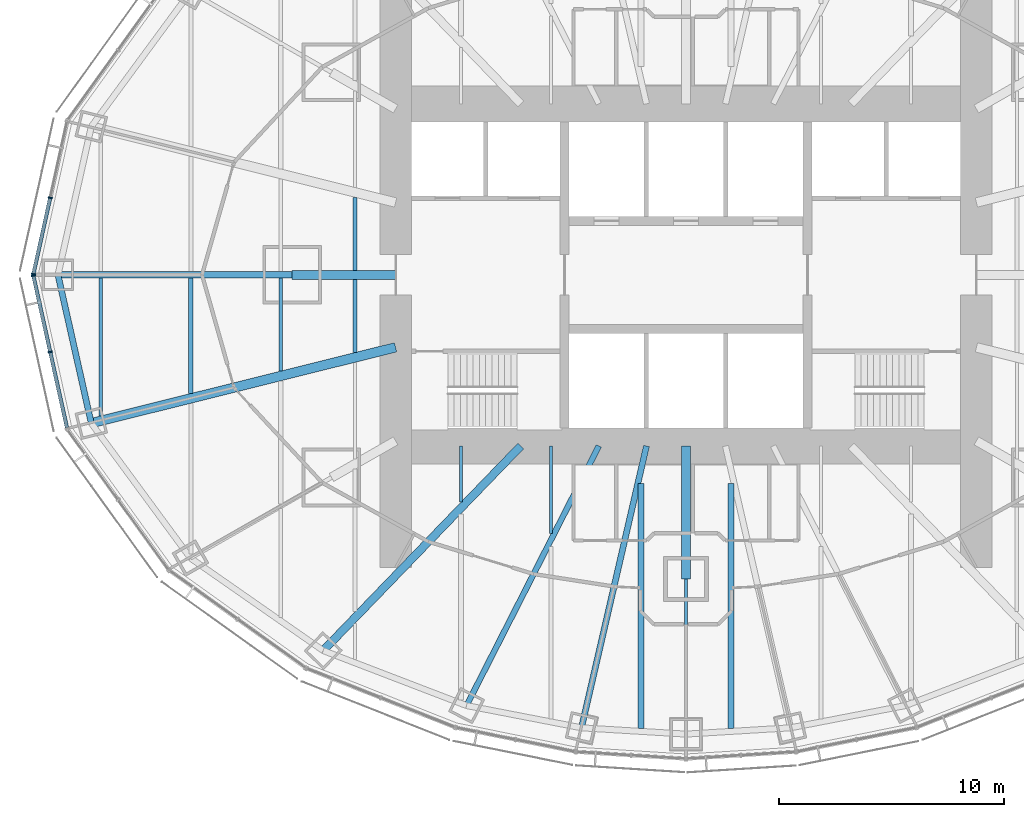
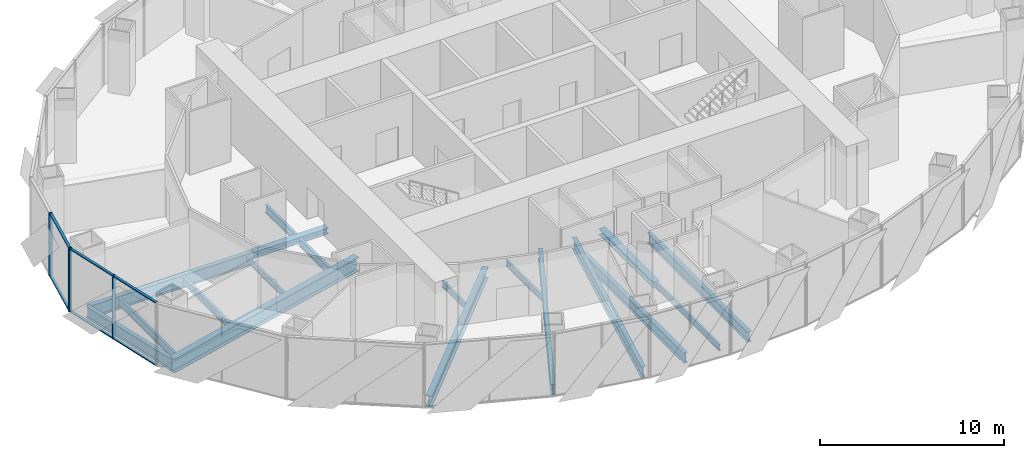
# One storey, part 3 of 17: 18 beams, 10 members, 2 elements without a shape of their own.
"""IFC4 building model written with IfcOpenShell, lengths in metres."""

from ifc_helpers import new_model, si_unit, direction, frame, origin, origin_2d, place, context, subcontext, project, spatial, rectangle, i_section, extrude, material, material_profile, profile_set, type_object, element, aggregate, save


model = new_model("IFC4")

# Units and contexts
model_context = context("Model", 3, precision=1e-05, world=origin(), true_north=direction((0.0, 1.0)))
body_context = subcontext(model_context, "Body", "Model", "MODEL_VIEW")
ifc_project = project(units=[si_unit("LENGTHUNIT", "METRE"), si_unit("AREAUNIT", "SQUARE_METRE"), si_unit("VOLUMEUNIT", "CUBIC_METRE"), si_unit("PLANEANGLEUNIT", "RADIAN"), si_unit("MASSUNIT", "GRAM", prefix="KILO")], contexts=[model_context])

# Site, building, storey
site_placement = place(None, origin())
site = spatial("IfcSite", under=ifc_project, at=site_placement, CompositionType="ELEMENT")
building_placement = place(site_placement, origin())
building = spatial("IfcBuilding", under=site, at=building_placement, Name="Lantaw Convention Tower", CompositionType="ELEMENT")
storey_placement = place(building_placement, frame((0.0, 0.0, 163.60009765625)))
storey = spatial("IfcBuildingStorey", under=building, at=storey_placement, Name="L38", CompositionType="ELEMENT", Elevation=163.60009765625)

# Beams
ifc_material_1 = material(Name="Steel ASTM A992", Category="steel")
ifc_material_profile_1 = material_profile(ifc_material_1, i_section(OverallWidth=0.2666015625, OverallDepth=0.76953125, WebThickness=0.015625, FlangeThickness=0.025390625, FilletRadius=0.0126953125, at=origin_2d()), Name="W30X132")
ifc_profile_set_1 = profile_set([ifc_material_profile_1], Name="Steel ASTM A992")
beam_type_1 = type_object("IfcBeamType", Name="Beam E W30X132", PredefinedType="SPANDREL", material=ifc_profile_set_1)
beam_1_placement = place(storey_placement, frame((-27.89990234375, 0.0, -0.534912109375), z_axis=(0.219211877447, -0.975677279015, 0.0), x_axis=(0.975677279015, 0.219211877447, 0.0)))
element("IfcBeam", 1, at=beam_1_placement, inside=storey, type_object=beam_type_1, Name="Edge beam 13", PredefinedType="SPANDREL", context=body_context, shape_type="SweptSolid", body=[
    extrude(i_section(OverallWidth=0.2666015625, OverallDepth=0.76953125, WebThickness=0.015625, FlangeThickness=0.025390625, FilletRadius=0.0126953125, at=origin_2d()), origin(), (0.0, 0.0, 1.0), 6.75146484375),
])
ifc_material_profile_2 = material_profile(ifc_material_1, i_section(OverallWidth=0.140380859375, OverallDepth=0.40380859375, WebThickness=0.007080078125, FlangeThickness=0.01123046875, FilletRadius=0.01025390625, at=origin_2d()), Name="W16X31")
ifc_profile_set_2 = profile_set([ifc_material_profile_2], Name="Steel ASTM A992")
beam_type_2 = type_object("IfcBeamType", Name="Beam G W16X31", PredefinedType="BEAM", material=ifc_profile_set_2)
beam_2_placement = place(storey_placement, frame((0.0, -13.5, -0.35205078125), z_axis=(0.0, -1.0, 0.0), x_axis=(1.0, 0.0, 0.0)))
element("IfcBeam", 2, at=beam_2_placement, inside=storey, type_object=beam_type_2, Name="Floor girder on ray 19", PredefinedType="BEAM", context=body_context, shape_type="SweptSolid", body=[
    extrude(i_section(OverallWidth=0.140380859375, OverallDepth=0.40380859375, WebThickness=0.007080078125, FlangeThickness=0.01123046875, FilletRadius=0.01025390625, at=origin_2d()), origin(), (0.0, 0.0, 1.0), 6.89990234375),
])
ifc_material_profile_3 = material_profile(ifc_material_1, i_section(OverallWidth=0.25390625, OverallDepth=0.700927734375, WebThickness=0.015380859375, FlangeThickness=0.02783203125, FilletRadius=0.01513671875, at=origin_2d()), Name="W27X129")
ifc_profile_set_3 = profile_set([ifc_material_profile_3], Name="Steel ASTM A992")
beam_type_3 = type_object("IfcBeamType", Name="Beam G W27X129", PredefinedType="BEAM", material=ifc_profile_set_3)
beam_3_placement = place(storey_placement, frame((-3.872314453125, -7.60009765625, -0.500732421875), z_axis=(-0.453991051051, -0.891006243281, 0.0), x_axis=(0.891006243281, -0.453991051051, 0.0)))
element("IfcBeam", 3, at=beam_3_placement, inside=storey, type_object=beam_type_3, Name="Floor girder on ray 17", PredefinedType="BEAM", context=body_context, shape_type="SweptSolid", body=[
    extrude(i_section(OverallWidth=0.25390625, OverallDepth=0.700927734375, WebThickness=0.015380859375, FlangeThickness=0.02783203125, FilletRadius=0.01513671875, at=origin_2d()), origin(), (0.0, 0.0, 1.0), 12.943359375),
])
ifc_material_profile_4 = material_profile(ifc_material_1, i_section(OverallWidth=0.360595703125, OverallDepth=0.72900390625, WebThickness=0.023193359375, FlangeThickness=0.041015625, FilletRadius=0.0126953125, at=origin_2d()), Name="W27X235")
ifc_profile_set_4 = profile_set([ifc_material_profile_4], Name="Steel ASTM A992")
beam_type_4 = type_object("IfcBeamType", Name="Beam G W27X235", PredefinedType="BEAM", material=ifc_profile_set_4)
beam_4_placement = place(storey_placement, frame((-7.33935546875, -7.60009765625, -0.5146484375), z_axis=(-0.694663467407, -0.719334878239, 0.0), x_axis=(0.719334878239, -0.694663467407, 0.0)))
element("IfcBeam", 4, at=beam_4_placement, inside=storey, type_object=beam_type_4, Name="Floor girder on ray 16", PredefinedType="BEAM", context=body_context, shape_type="SweptSolid", body=[
    extrude(i_section(OverallWidth=0.360595703125, OverallDepth=0.72900390625, WebThickness=0.023193359375, FlangeThickness=0.041015625, FilletRadius=0.0126953125, at=origin_2d()), origin(), (0.0, 0.0, 1.0), 12.63671875),
])
ifc_material_profile_5 = material_profile(ifc_material_1, i_section(OverallWidth=0.2666015625, OverallDepth=0.7568359375, WebThickness=0.013916015625, FlangeThickness=0.019287109375, FilletRadius=0.0126953125, at=origin_2d()), Name="W30X108")
ifc_profile_set_5 = profile_set([ifc_material_profile_5], Name="Steel ASTM A992")
beam_type_5 = type_object("IfcBeamType", Name="Beam G W30X108", PredefinedType="BEAM", material=ifc_profile_set_5)
beam_5_placement = place(storey_placement, frame((-1.754638671875, -7.60009765625, -0.528564453125), z_axis=(-0.224944153104, -0.974371658036, 0.0), x_axis=(0.974371658036, -0.224944153104, 0.0)))
element("IfcBeam", 5, at=beam_5_placement, inside=storey, type_object=beam_type_5, Name="Floor girder on ray 18", PredefinedType="BEAM", context=body_context, shape_type="SweptSolid", body=[
    extrude(i_section(OverallWidth=0.2666015625, OverallDepth=0.7568359375, WebThickness=0.013916015625, FlangeThickness=0.019287109375, FilletRadius=0.0126953125, at=origin_2d()), origin(), (0.0, 0.0, 1.0), 12.849365234375),
])
ifc_material_profile_6 = material_profile(ifc_material_1, i_section(OverallWidth=0.2919921875, OverallDepth=0.845703125, WebThickness=0.015380859375, FlangeThickness=0.0244140625, FilletRadius=0.01513671875, at=origin_2d()), Name="W33X141")
ifc_profile_set_6 = profile_set([ifc_material_profile_6], Name="Steel ASTM A992")
beam_type_6 = type_object("IfcBeamType", Name="Beam G W33X141", PredefinedType="BEAM", material=ifc_profile_set_6)
beam_6_placement = place(storey_placement, frame((-17.5, 0.0, -0.572998046875), z_axis=(-1.0, 0.0, 0.0), x_axis=(0.0, -1.0, 0.0)))
element("IfcBeam", 6, at=beam_6_placement, inside=storey, type_object=beam_type_6, Name="Floor girder on ray 13", PredefinedType="BEAM", context=body_context, shape_type="SweptSolid", body=[
    extrude(i_section(OverallWidth=0.2919921875, OverallDepth=0.845703125, WebThickness=0.015380859375, FlangeThickness=0.0244140625, FilletRadius=0.01513671875, at=origin_2d()), origin(), (0.0, 0.0, 1.0), 10.39990234375),
])
ifc_material_profile_7 = material_profile(ifc_material_1, i_section(OverallWidth=0.421630859375, OverallDepth=0.937255859375, WebThickness=0.0224609375, FlangeThickness=0.039794921875, FilletRadius=0.02001953125, at=origin_2d()), Name="W36X282")
ifc_profile_set_7 = profile_set([ifc_material_profile_7], Name="Steel ASTM A992")
beam_type_7 = type_object("IfcBeamType", Name="Beam G W36X282", PredefinedType="BEAM", material=ifc_profile_set_7)
beam_7_placement = place(storey_placement, frame((-12.89990234375, -3.21630859375, -0.61865234375), z_axis=(-0.970296903132, -0.24191717544, 0.0), x_axis=(0.24191717544, -0.970296903132, 0.0)))
element("IfcBeam", 7, at=beam_7_placement, inside=storey, type_object=beam_type_7, Name="Floor girder on ray 14", PredefinedType="BEAM", context=body_context, shape_type="SweptSolid", body=[
    extrude(i_section(OverallWidth=0.421630859375, OverallDepth=0.937255859375, WebThickness=0.0224609375, FlangeThickness=0.039794921875, FilletRadius=0.02001953125, at=origin_2d()), origin(), (0.0, 0.0, 1.0), 13.933837890625),
])
ifc_material_profile_8 = material_profile(ifc_material_1, i_section(OverallWidth=0.40380859375, OverallDepth=0.406494140625, WebThickness=0.027099609375, FlangeThickness=0.043701171875, FilletRadius=0.01513671875, at=origin_2d()), Name="W14X233")
ifc_profile_set_8 = profile_set([ifc_material_profile_8], Name="Steel ASTM A992")
beam_type_8 = type_object("IfcBeamType", Name="Beam GM W14X233", PredefinedType="BEAM", material=ifc_profile_set_8)
beam_8_placement = place(storey_placement, frame((-12.89990234375, 0.0, -0.353271484375), z_axis=(-1.0, 0.0, 0.0), x_axis=(0.0, -1.0, 0.0)))
element("IfcBeam", 8, at=beam_8_placement, inside=storey, type_object=beam_type_8, Name="Core link beam on ray 13", PredefinedType="BEAM", context=body_context, shape_type="SweptSolid", body=[
    extrude(i_section(OverallWidth=0.40380859375, OverallDepth=0.406494140625, WebThickness=0.027099609375, FlangeThickness=0.043701171875, FilletRadius=0.01513671875, at=origin_2d()), origin(), (0.0, 0.0, 1.0), 4.60009765625),
])
beam_9_placement = place(storey_placement, frame((0.0, -7.60009765625, -0.353271484375), z_axis=(0.0, -1.0, 0.0), x_axis=(1.0, 0.0, 0.0)))
element("IfcBeam", 9, at=beam_9_placement, inside=storey, type_object=beam_type_8, Name="Core link beam on ray 19", PredefinedType="BEAM", context=body_context, shape_type="SweptSolid", body=[
    extrude(i_section(OverallWidth=0.40380859375, OverallDepth=0.406494140625, WebThickness=0.027099609375, FlangeThickness=0.043701171875, FilletRadius=0.01513671875, at=origin_2d()), origin(), (0.0, 0.0, 1.0), 5.89990234375),
])
ifc_material_profile_9 = material_profile(ifc_material_1, i_section(OverallWidth=0.140380859375, OverallDepth=0.40380859375, WebThickness=0.007080078125, FlangeThickness=0.01123046875, FilletRadius=0.01025390625, at=origin_2d()), Name="W16X31")
ifc_profile_set_9 = profile_set([ifc_material_profile_9], Name="Steel ASTM A992")
beam_type_9 = type_object("IfcBeamType", Name="Beam J W16X31", PredefinedType="JOIST", material=ifc_profile_set_9)
beam_10_placement = place(storey_placement, frame((-18.0, -4.270751953125, -0.35205078125), z_axis=(0.0, 1.0, 0.0), x_axis=(-1.0, 0.0, 0.0)))
element("IfcBeam", 10, at=beam_10_placement, inside=storey, type_object=beam_type_9, Name="Floor joist", PredefinedType="JOIST", context=body_context, shape_type="SweptSolid", body=[
    extrude(i_section(OverallWidth=0.140380859375, OverallDepth=0.40380859375, WebThickness=0.007080078125, FlangeThickness=0.01123046875, FilletRadius=0.01025390625, at=origin_2d()), origin(), (0.0, 0.0, 1.0), 4.124755859375),
])
beam_11_placement = place(storey_placement, frame((-10.0, -10.095703125, -0.35205078125), z_axis=(0.0, 1.0, 0.0), x_axis=(-1.0, 0.0, 0.0)))
element("IfcBeam", 11, at=beam_11_placement, inside=storey, type_object=beam_type_9, Name="Floor joist", PredefinedType="JOIST", context=body_context, shape_type="SweptSolid", body=[
    extrude(i_section(OverallWidth=0.140380859375, OverallDepth=0.40380859375, WebThickness=0.007080078125, FlangeThickness=0.01123046875, FilletRadius=0.01025390625, at=origin_2d()), origin(), (0.0, 0.0, 1.0), 2.49560546875),
])
beam_12_placement = place(storey_placement, frame((-6.0, -11.495849609375, -0.35205078125), z_axis=(0.0, 1.0, 0.0), x_axis=(-1.0, 0.0, 0.0)))
element("IfcBeam", 12, at=beam_12_placement, inside=storey, type_object=beam_type_9, Name="Floor joist", PredefinedType="JOIST", context=body_context, shape_type="SweptSolid", body=[
    extrude(i_section(OverallWidth=0.140380859375, OverallDepth=0.40380859375, WebThickness=0.007080078125, FlangeThickness=0.01123046875, FilletRadius=0.01025390625, at=origin_2d()), origin(), (0.0, 0.0, 1.0), 3.895751953125),
])
ifc_material_profile_10 = material_profile(ifc_material_1, i_section(OverallWidth=0.1904296875, OverallDepth=0.457275390625, WebThickness=0.009033203125, FlangeThickness=0.014404296875, FilletRadius=0.01025390625, at=origin_2d()), Name="W18X50")
ifc_profile_set_10 = profile_set([ifc_material_profile_10], Name="Steel ASTM A992")
beam_type_10 = type_object("IfcBeamType", Name="Beam J W18X50", PredefinedType="JOIST", material=ifc_profile_set_10)
beam_13_placement = place(storey_placement, frame((-22.0, -5.267822265625, -0.378662109375), z_axis=(0.0, 1.0, 0.0), x_axis=(-1.0, 0.0, 0.0)))
element("IfcBeam", 13, at=beam_13_placement, inside=storey, type_object=beam_type_10, Name="Floor joist", PredefinedType="JOIST", context=body_context, shape_type="SweptSolid", body=[
    extrude(i_section(OverallWidth=0.1904296875, OverallDepth=0.457275390625, WebThickness=0.009033203125, FlangeThickness=0.014404296875, FilletRadius=0.01025390625, at=origin_2d()), origin(), (0.0, 0.0, 1.0), 5.121826171875),
])
ifc_material_profile_11 = material_profile(ifc_material_1, i_section(OverallWidth=0.1650390625, OverallDepth=0.52587890625, WebThickness=0.0087890625, FlangeThickness=0.011474609375, FilletRadius=0.0126953125, at=origin_2d()), Name="W21X44")
ifc_profile_set_11 = profile_set([ifc_material_profile_11], Name="Steel ASTM A992")
beam_type_11 = type_object("IfcBeamType", Name="Beam J W21X44", PredefinedType="JOIST", material=ifc_profile_set_11)
beam_14_placement = place(storey_placement, frame((-26.0, -6.26513671875, -0.4130859375), z_axis=(0.0, 1.0, 0.0), x_axis=(-1.0, 0.0, 0.0)))
element("IfcBeam", 14, at=beam_14_placement, inside=storey, type_object=beam_type_11, Name="Floor joist", PredefinedType="JOIST", context=body_context, shape_type="SweptSolid", body=[
    extrude(i_section(OverallWidth=0.1650390625, OverallDepth=0.52587890625, WebThickness=0.0087890625, FlangeThickness=0.011474609375, FilletRadius=0.0126953125, at=origin_2d()), origin(), (0.0, 0.0, 1.0), 6.119140625),
])
ifc_material_profile_12 = material_profile(ifc_material_1, i_section(OverallWidth=0.165771484375, OverallDepth=0.5283203125, WebThickness=0.009765625, FlangeThickness=0.013671875, FilletRadius=0.012939453125, at=origin_2d()), Name="W21X50")
ifc_profile_set_12 = profile_set([ifc_material_profile_12], Name="Steel ASTM A992")
beam_type_12 = type_object("IfcBeamType", Name="Beam J W21X50", PredefinedType="JOIST", material=ifc_profile_set_12)
for number, where, z_axis, x_axis, name in (
    (15, (-14.699951171875, -3.44775390625, -0.414306640625), (0.0, 1.0, 0.0), (-1.0, 0.0, 0.0), "Floor joist"),
    (16, (-14.699951171875, 0.201904296875, -0.414306640625), (0.0, 1.0, 0.0), (-1.0, 0.0, 0.0), "Floor joist"),
):
    element("IfcBeam", number, at=place(storey_placement, frame(where, z_axis=z_axis, x_axis=x_axis)), inside=storey, type_object=beam_type_12, Name=name, PredefinedType="JOIST", context=body_context, shape_type="SweptSolid", body=[
        extrude(i_section(OverallWidth=0.165771484375, OverallDepth=0.5283203125, WebThickness=0.009765625, FlangeThickness=0.013671875, FilletRadius=0.012939453125, at=origin_2d()), origin(), (0.0, 0.0, 1.0), 3.245849609375),
    ])
ifc_material_profile_13 = material_profile(ifc_material_1, i_section(OverallWidth=0.25390625, OverallDepth=0.683349609375, WebThickness=0.012451171875, FlangeThickness=0.01904296875, FilletRadius=0.01513671875, at=origin_2d()), Name="W27X94")
ifc_profile_set_13 = profile_set([ifc_material_profile_13], Name="Steel ASTM A992")
beam_type_13 = type_object("IfcBeamType", Name="Beam J W27X94", PredefinedType="JOIST", material=ifc_profile_set_13)
for number, where, z_axis, x_axis, name in (
    (17, (-2.0, -20.145751953125, -0.49169921875), (0.0, 1.0, 0.0), (-1.0, 0.0, 0.0), "Floor joist"),
    (18, (2.0, -20.145751953125, -0.49169921875), (0.0, 1.0, 0.0), (-1.0, 0.0, 0.0), "Floor joist"),
):
    element("IfcBeam", number, at=place(storey_placement, frame(where, z_axis=z_axis, x_axis=x_axis)), inside=storey, type_object=beam_type_13, Name=name, PredefinedType="JOIST", context=body_context, shape_type="SweptSolid", body=[
        extrude(i_section(OverallWidth=0.25390625, OverallDepth=0.683349609375, WebThickness=0.012451171875, FlangeThickness=0.01904296875, FilletRadius=0.01513671875, at=origin_2d()), origin(), (0.0, 0.0, 1.0), 10.889892578125),
    ])

# Curtain wall, members
ifc_material_2 = material(Name="Aluminium framed curtain wall", Category="aluminium")
curtain_wall_type = type_object("IfcCurtainWallType", Name="Office curtain wall low rise, pale aluminium", PredefinedType="USERDEFINED", material=ifc_material_2)
curtain_wall_1_placement = place(storey_placement, origin())
curtain_wall_1 = element("IfcCurtainWall", 19, at=curtain_wall_1_placement, inside=storey, type_object=curtain_wall_type, Name="Office curtain wall low rise, pale aluminium L38", ObjectType="UNITISED CURTAIN WALL", PredefinedType="USERDEFINED")
ifc_material_3 = material(Name="Aluminium 6063-T6", Category="aluminium")
ifc_material_profile_14 = material_profile(ifc_material_3, rectangle(XDim=0.199951171875, YDim=0.06494140625, at=origin_2d()), Name="CW-O1 mullion 65x200")
ifc_profile_set_14 = profile_set([ifc_material_profile_14], Name="Aluminium 6063-T6")
member_type_1 = type_object("IfcMemberType", Name="CW-O1 mullion 65x200", PredefinedType="MULLION", material=ifc_profile_set_14)
member_1_placement = place(storey_placement, frame((-28.24365234375, 3.4267578125, -0.150146484375), z_axis=(0.0, 0.0, 1.0), x_axis=(0.9764936509, -0.215546166174, 0.0)))
member_1 = element("IfcMember", 20, at=member_1_placement, type_object=member_type_1, Name="CW-O1 mullion 2", PredefinedType="MULLION", context=body_context, shape_type="SweptSolid", body=[
    extrude(rectangle(XDim=0.199951171875, YDim=0.06494140625, at=origin_2d()), origin(), (0.0, 0.0, 1.0), 4.199951171875),
])
member_2_placement = place(storey_placement, frame((-28.992919921875, 0.03173828125, -0.150146484375), z_axis=(0.0, 0.0, 1.0), x_axis=(0.9764936509, -0.215546166174, 0.0)))
member_2 = element("IfcMember", 21, at=member_2_placement, type_object=member_type_1, Name="CW-O1 mullion 3", PredefinedType="MULLION", context=body_context, shape_type="SweptSolid", body=[
    extrude(rectangle(XDim=0.199951171875, YDim=0.06494140625, at=origin_2d()), origin(), (0.0, 0.0, 1.0), 4.199951171875),
])

curtain_wall_2_placement = place(storey_placement, origin())
curtain_wall_2 = element("IfcCurtainWall", 22, at=curtain_wall_2_placement, inside=storey, type_object=curtain_wall_type, Name="Office curtain wall low rise, pale aluminium L38", ObjectType="UNITISED CURTAIN WALL", PredefinedType="USERDEFINED")
member_3_placement = place(storey_placement, frame((-28.992919921875, -0.03173828125, -0.150146484375), z_axis=(0.0, 0.0, 1.0), x_axis=(0.9764936509, 0.215546166174, 0.0)))
member_3 = element("IfcMember", 23, at=member_3_placement, type_object=member_type_1, Name="CW-O1 mullion 1", PredefinedType="MULLION", context=body_context, shape_type="SweptSolid", body=[
    extrude(rectangle(XDim=0.199951171875, YDim=0.06494140625, at=origin_2d()), origin(), (0.0, 0.0, 1.0), 4.199951171875),
])
member_4_placement = place(storey_placement, frame((-28.24365234375, -3.4267578125, -0.150146484375), z_axis=(0.0, 0.0, 1.0), x_axis=(0.9764936509, 0.215546166174, 0.0)))
member_4 = element("IfcMember", 24, at=member_4_placement, type_object=member_type_1, Name="CW-O1 mullion 2", PredefinedType="MULLION", context=body_context, shape_type="SweptSolid", body=[
    extrude(rectangle(XDim=0.199951171875, YDim=0.06494140625, at=origin_2d()), origin(), (0.0, 0.0, 1.0), 4.199951171875),
])

# Member
ifc_material_profile_15 = material_profile(ifc_material_3, rectangle(XDim=0.159912109375, YDim=0.06494140625, at=origin_2d()), Name="CW-O1 transom 65x160")
ifc_profile_set_15 = profile_set([ifc_material_profile_15], Name="Aluminium 6063-T6")
member_type_2 = type_object("IfcMemberType", Name="CW-O1 transom 65x160", PredefinedType="USERDEFINED", material=ifc_profile_set_15)
member_5_placement = place(storey_placement, frame((-28.250732421875, 3.39501953125, -0.11767578125), z_axis=(-0.215536096386, -0.976495873598, 0.0), x_axis=(0.976495873598, -0.215536096386, 0.0)))
member_5 = element("IfcMember", 25, at=member_5_placement, type_object=member_type_2, Name="CW-O1 transom 2.1", ObjectType="TRANSOM", PredefinedType="USERDEFINED", context=body_context, shape_type="SweptSolid", body=[
    extrude(rectangle(XDim=0.159912109375, YDim=0.06494140625, at=origin_2d()), origin(), (0.0, 0.0, 1.0), 3.41162109375),
])

member_6_placement = place(storey_placement, frame((-28.250732421875, 3.39501953125, 4.017333984375), z_axis=(-0.215536096386, -0.976495873598, 0.0), x_axis=(0.976495873598, -0.215536096386, 0.0)))
member_6 = element("IfcMember", 26, at=member_6_placement, type_object=member_type_2, Name="CW-O1 transom 2.2", ObjectType="TRANSOM", PredefinedType="USERDEFINED", context=body_context, shape_type="SweptSolid", body=[
    extrude(rectangle(XDim=0.159912109375, YDim=0.06494140625, at=origin_2d()), origin(), (0.0, 0.0, 1.0), 3.41162109375),
])

aggregate(curtain_wall_1, [member_1, member_2, member_5, member_6])

member_7_placement = place(storey_placement, frame((-28.986083984375, -0.0634765625, -0.11767578125), z_axis=(0.215536096386, -0.976495873598, 0.0), x_axis=(0.976495873598, 0.215536096386, 0.0)))
member_7 = element("IfcMember", 27, at=member_7_placement, type_object=member_type_2, Name="CW-O1 transom 1.1", ObjectType="TRANSOM", PredefinedType="USERDEFINED", context=body_context, shape_type="SweptSolid", body=[
    extrude(rectangle(XDim=0.159912109375, YDim=0.06494140625, at=origin_2d()), origin(), (0.0, 0.0, 1.0), 3.41162109375),
])

member_8_placement = place(storey_placement, frame((-28.986083984375, -0.0634765625, 4.017333984375), z_axis=(0.215536096386, -0.976495873598, 0.0), x_axis=(0.976495873598, 0.215536096386, 0.0)))
member_8 = element("IfcMember", 28, at=member_8_placement, type_object=member_type_2, Name="CW-O1 transom 1.2", ObjectType="TRANSOM", PredefinedType="USERDEFINED", context=body_context, shape_type="SweptSolid", body=[
    extrude(rectangle(XDim=0.159912109375, YDim=0.06494140625, at=origin_2d()), origin(), (0.0, 0.0, 1.0), 3.41162109375),
])

member_9_placement = place(storey_placement, frame((-28.236572265625, -3.45849609375, -0.11767578125), z_axis=(0.21555115847, -0.976492548913, 0.0), x_axis=(0.976492548913, 0.21555115847, 0.0)))
member_9 = element("IfcMember", 29, at=member_9_placement, type_object=member_type_2, Name="CW-O1 transom 2.1", ObjectType="TRANSOM", PredefinedType="USERDEFINED", context=body_context, shape_type="SweptSolid", body=[
    extrude(rectangle(XDim=0.159912109375, YDim=0.06494140625, at=origin_2d()), origin(), (0.0, 0.0, 1.0), 3.411376953125),
])

member_10_placement = place(storey_placement, frame((-28.236572265625, -3.45849609375, 4.017333984375), z_axis=(0.21555115847, -0.976492548913, 0.0), x_axis=(0.976492548913, 0.21555115847, 0.0)))
member_10 = element("IfcMember", 30, at=member_10_placement, type_object=member_type_2, Name="CW-O1 transom 2.2", ObjectType="TRANSOM", PredefinedType="USERDEFINED", context=body_context, shape_type="SweptSolid", body=[
    extrude(rectangle(XDim=0.159912109375, YDim=0.06494140625, at=origin_2d()), origin(), (0.0, 0.0, 1.0), 3.411376953125),
])

aggregate(curtain_wall_2, [member_3, member_4, member_7, member_8, member_9, member_10])

save(model, "model.ifc")
